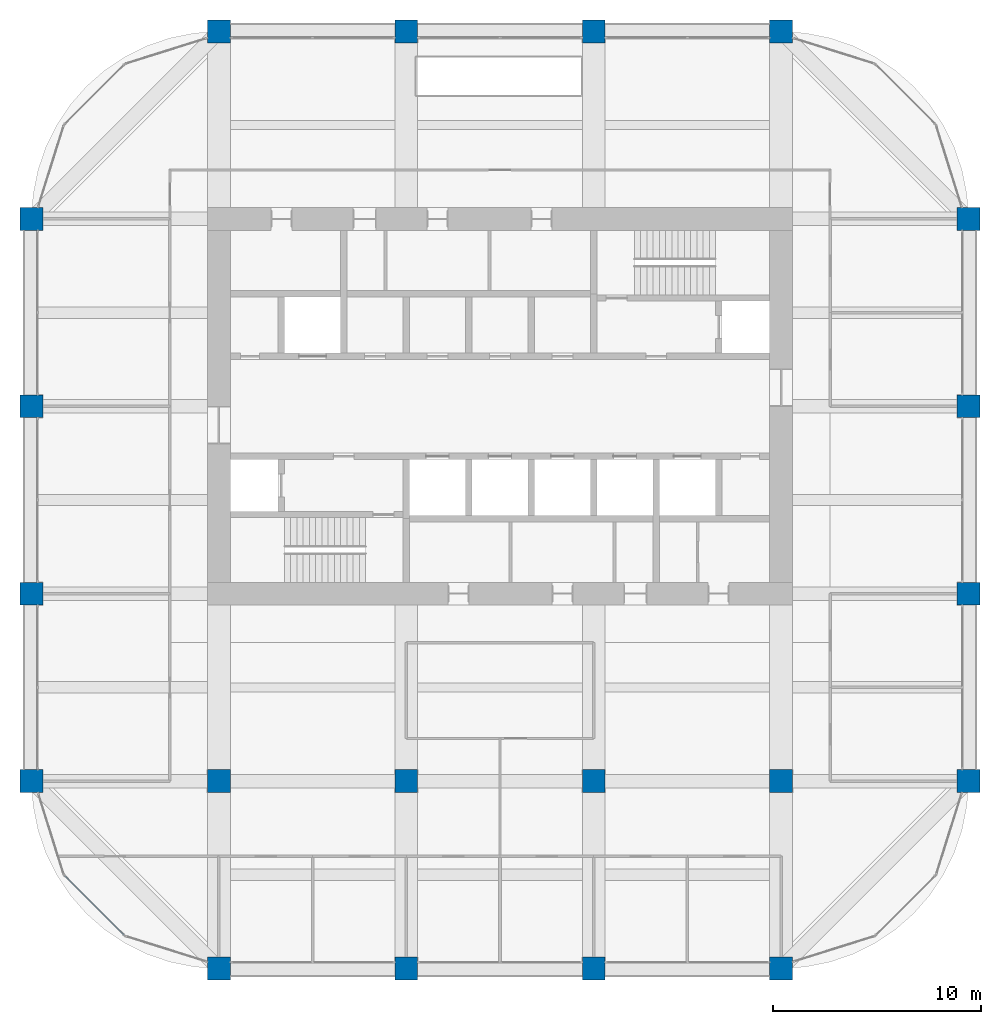
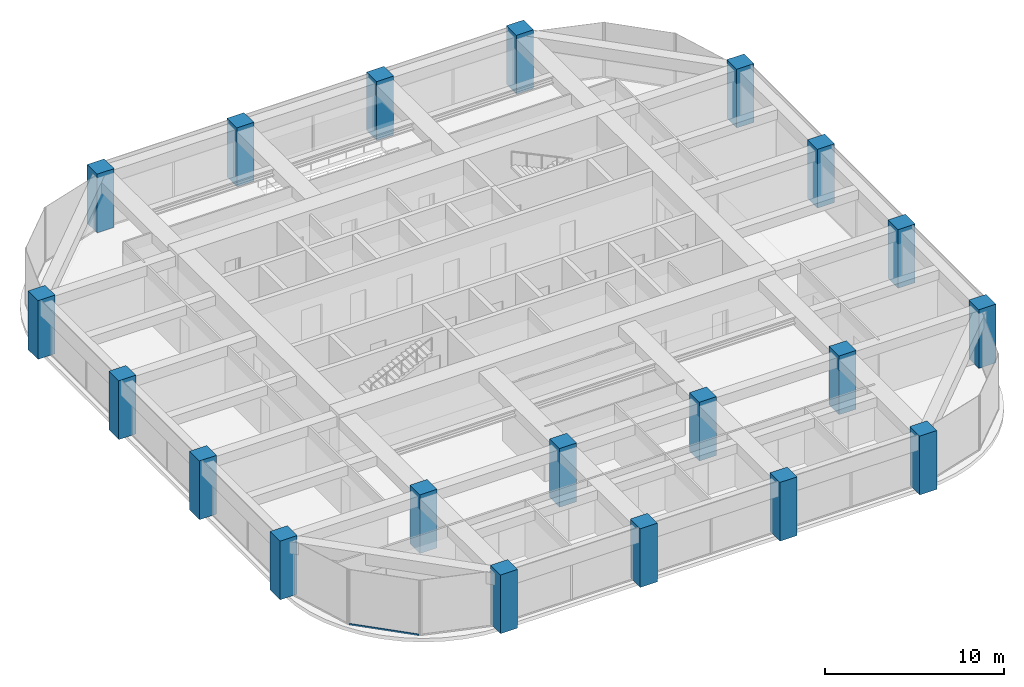
# One storey, part 1 of 44: 20 columns, 1 member, 1 element without a shape of its own.
"""IFC4 building model written with IfcOpenShell, lengths in metres."""

from ifc_helpers import new_model, si_unit, direction, frame, origin, origin_2d, place, context, subcontext, project, spatial, rectangle, hollow_rectangle, extrude, material, material_profile, profile_set, type_object, element, aggregate, save


model = new_model("IFC4")

# Units and contexts
model_context = context("Model", 3, precision=1e-05, world=origin(), true_north=direction((0.0, 1.0)))
body_context = subcontext(model_context, "Body", "Model", "MODEL_VIEW")
ifc_project = project(units=[si_unit("LENGTHUNIT", "METRE"), si_unit("AREAUNIT", "SQUARE_METRE"), si_unit("VOLUMEUNIT", "CUBIC_METRE"), si_unit("PLANEANGLEUNIT", "RADIAN"), si_unit("MASSUNIT", "GRAM", prefix="KILO")], contexts=[model_context])

# Site, building, storey
site_placement = place(None, origin())
site = spatial("IfcSite", under=ifc_project, at=site_placement, CompositionType="ELEMENT")
building_placement = place(site_placement, origin())
building = spatial("IfcBuilding", under=site, at=building_placement, Name="Zorevar Civic Tower", CompositionType="ELEMENT")
storey_placement = place(building_placement, frame((0.0, 0.0, 295.39990234375)))
storey = spatial("IfcBuildingStorey", under=building, at=storey_placement, Name="L72", CompositionType="ELEMENT", Elevation=295.39990234375)

# Columns
ifc_material_1 = material(Name="Concrete C50/60", Category="concrete")
ifc_material_profile_1 = material_profile(ifc_material_1, rectangle(XDim=1.10009765625, YDim=1.10009765625, at=origin_2d()), Name="RC 1100x1100")
ifc_profile_set_1 = profile_set([ifc_material_profile_1], Name="Concrete C50/60")
column_type = type_object("IfcColumnType", Name="Column RC 1100x1100", PredefinedType="COLUMN", material=ifc_profile_set_1)
for number, where, z_axis, x_axis, name in (
    (1, (9.0, 9.0, 0.0), (0.0, 0.0, 1.0), (1.0, 0.0, 0.0), "Column 3B L72"),
    (2, (9.0, 18.0, 0.0), (0.0, 0.0, 1.0), (1.0, 0.0, 0.0), "Column 3C L72"),
    (3, (9.0, 27.0, 0.0), (0.0, 0.0, 1.0), (1.0, 0.0, 0.0), "Column 3D L72"),
    (4, (9.0, 36.0, 0.0), (0.0, 0.0, 1.0), (1.0, 0.0, 0.0), "Column 3E L72"),
    (5, (18.0, 0.0, 0.0), (0.0, 0.0, 1.0), (1.0, 0.0, 0.0), "Column 4A L72"),
    (6, (18.0, 9.0, 0.0), (0.0, 0.0, 1.0), (1.0, 0.0, 0.0), "Column 4B L72"),
    (7, (18.0, 45.0, 0.0), (0.0, 0.0, 1.0), (1.0, 0.0, 0.0), "Column 4F L72"),
    (8, (27.0, 0.0, 0.0), (0.0, 0.0, 1.0), (1.0, 0.0, 0.0), "Column 5A L72"),
    (9, (27.0, 9.0, 0.0), (0.0, 0.0, 1.0), (1.0, 0.0, 0.0), "Column 5B L72"),
    (10, (27.0, 45.0, 0.0), (0.0, 0.0, 1.0), (1.0, 0.0, 0.0), "Column 5F L72"),
    (11, (36.0, 0.0, 0.0), (0.0, 0.0, 1.0), (1.0, 0.0, 0.0), "Column 6A L72"),
    (12, (36.0, 9.0, 0.0), (0.0, 0.0, 1.0), (1.0, 0.0, 0.0), "Column 6B L72"),
    (13, (36.0, 45.0, 0.0), (0.0, 0.0, 1.0), (1.0, 0.0, 0.0), "Column 6F L72"),
    (14, (45.0, 0.0, 0.0), (0.0, 0.0, 1.0), (1.0, 0.0, 0.0), "Column 7A L72"),
    (15, (45.0, 9.0, 0.0), (0.0, 0.0, 1.0), (1.0, 0.0, 0.0), "Column 7B L72"),
    (16, (45.0, 45.0, 0.0), (0.0, 0.0, 1.0), (1.0, 0.0, 0.0), "Column 7F L72"),
    (17, (54.0, 9.0, 0.0), (0.0, 0.0, 1.0), (1.0, 0.0, 0.0), "Column 8B L72"),
    (18, (54.0, 18.0, 0.0), (0.0, 0.0, 1.0), (1.0, 0.0, 0.0), "Column 8C L72"),
    (19, (54.0, 27.0, 0.0), (0.0, 0.0, 1.0), (1.0, 0.0, 0.0), "Column 8D L72"),
    (20, (54.0, 36.0, 0.0), (0.0, 0.0, 1.0), (1.0, 0.0, 0.0), "Column 8E L72"),
):
    element("IfcColumn", number, at=place(storey_placement, frame(where, z_axis=z_axis, x_axis=x_axis)), inside=storey, type_object=column_type, Name=name, PredefinedType="COLUMN", context=body_context, shape_type="SweptSolid", body=[
        extrude(rectangle(XDim=1.10009765625, YDim=1.10009765625, at=origin_2d()), origin(), (0.0, 0.0, 1.0), 4.0),
    ])

# Curtain wall, member
ifc_material_2 = material(Name="Dark grey solar-control glass in black aluminium frame", Category="aluminium")
curtain_wall_type = type_object("IfcCurtainWallType", Name="Curtain wall CW5 top zone", PredefinedType="NOTDEFINED", material=ifc_material_2)
curtain_wall_placement = place(storey_placement, origin())
curtain_wall = element("IfcCurtainWall", 21, at=curtain_wall_placement, inside=storey, type_object=curtain_wall_type, Name="CW5 L72", PredefinedType="NOTDEFINED")
ifc_material_3 = material(Name="Aluminium, black anodised", Category="aluminium")
ifc_material_profile_2 = material_profile(ifc_material_3, hollow_rectangle(XDim=0.06005859375, YDim=0.1201171875, WallThickness=0.0029296875, at=origin_2d()), Name="AL 120x60x3")
ifc_profile_set_2 = profile_set([ifc_material_profile_2], Name="Aluminium, black anodised")
member_type = type_object("IfcMemberType", Name="CW5 transom AL 120x60x3", PredefinedType="USERDEFINED", material=ifc_profile_set_2)
member_placement = place(storey_placement, frame((10.6015625, 4.44970703125, 0.030029296875), z_axis=(0.707106781187, -0.707106781187, 0.0), x_axis=(0.707106781187, 0.707106781187, 0.0)))
member = element("IfcMember", 22, at=member_placement, type_object=member_type, Name="CW5 sill transom", ObjectType="TRANSOM", PredefinedType="USERDEFINED", context=body_context, shape_type="SweptSolid", body=[
    extrude(hollow_rectangle(XDim=0.06005859375, YDim=0.1201171875, WallThickness=0.0029296875, at=origin_2d()), origin(), (0.0, 0.0, 1.0), 4.02783203125),
])
aggregate(curtain_wall, [member])

save(model, "model.ifc")
